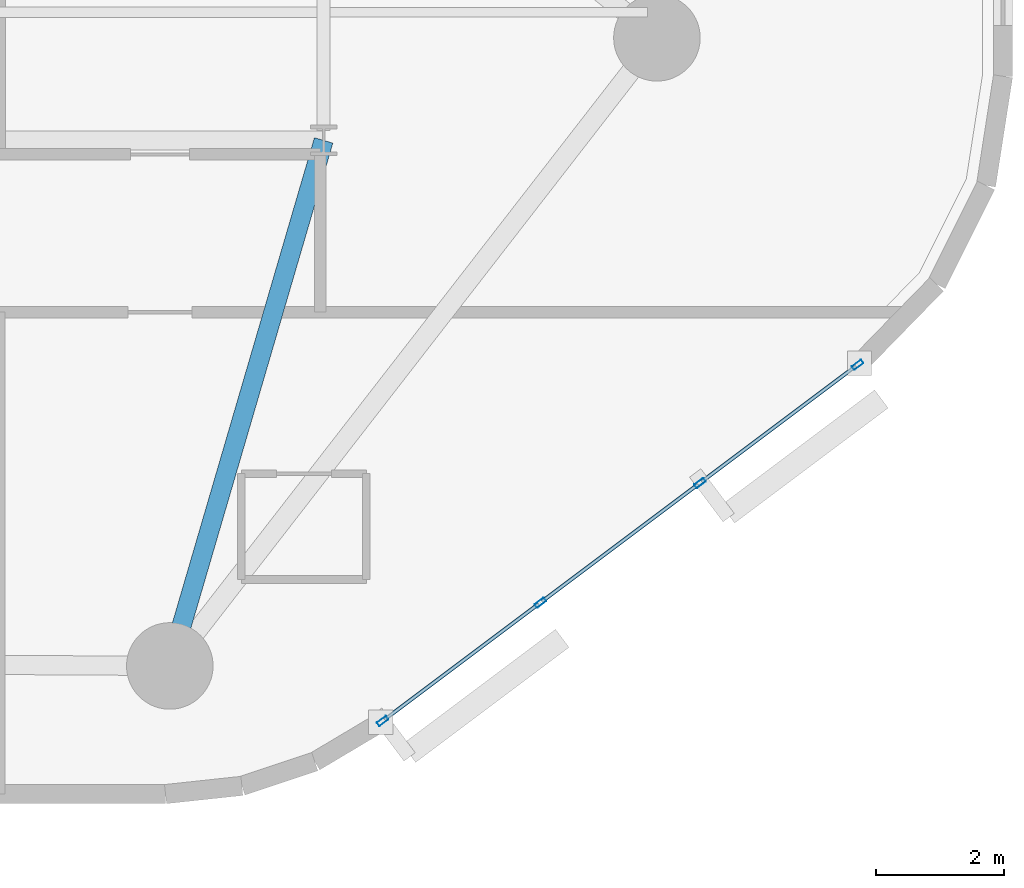
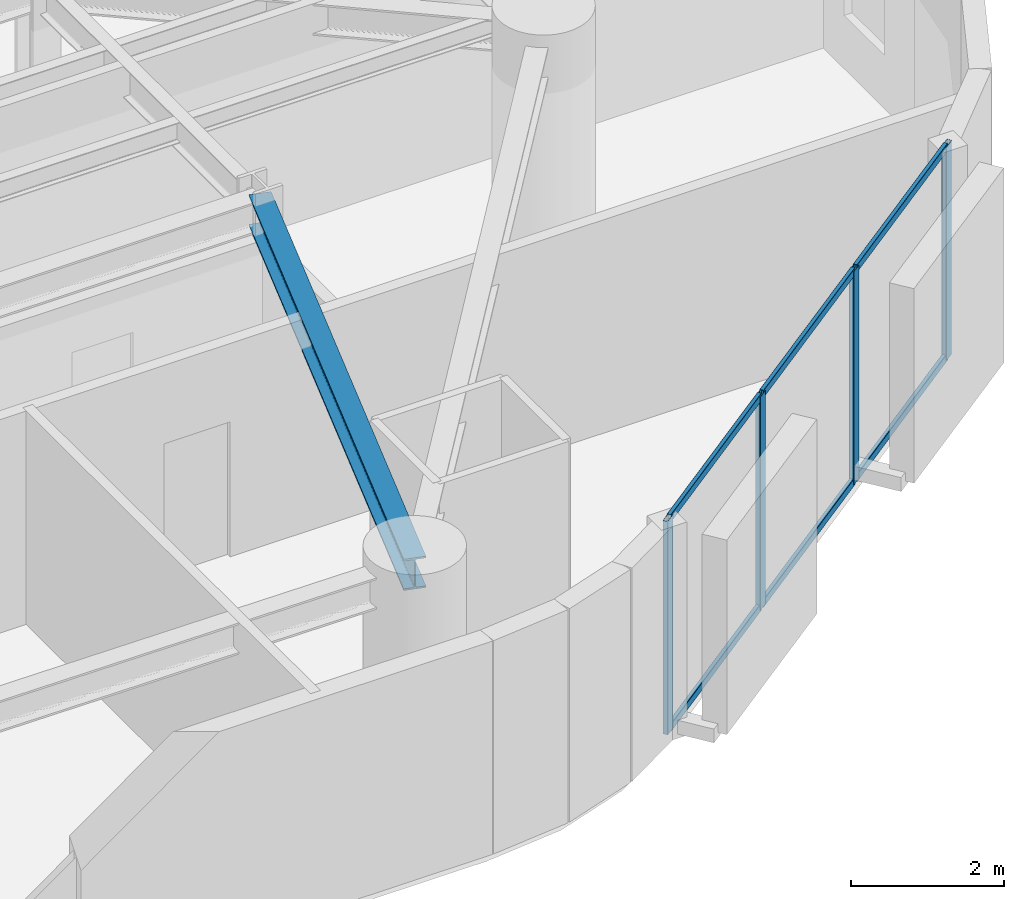
# One storey, part 2 of 13: 10 members, 1 beam, 1 element without a shape of its own.
"""IFC4 building model written with IfcOpenShell, lengths in metres."""

from ifc_helpers import new_model, si_unit, direction, frame, origin, origin_2d, place, context, subcontext, project, spatial, hollow_rectangle, i_section, extrude, material, layer, layer_set, material_profile, profile_set, type_object, element, aggregate, save


model = new_model("IFC4")

# Units and contexts
model_context = context("Model", 3, precision=1e-05, world=origin(), true_north=direction((0.0, 1.0)))
body_context = subcontext(model_context, "Body", "Model", "MODEL_VIEW")
ifc_project = project(units=[si_unit("LENGTHUNIT", "METRE"), si_unit("AREAUNIT", "SQUARE_METRE"), si_unit("VOLUMEUNIT", "CUBIC_METRE"), si_unit("PLANEANGLEUNIT", "RADIAN"), si_unit("MASSUNIT", "GRAM", prefix="KILO")], contexts=[model_context])

# Site, building, storey
site_placement = place(None, origin())
site = spatial("IfcSite", under=ifc_project, at=site_placement, CompositionType="ELEMENT")
building_placement = place(site_placement, origin())
building = spatial("IfcBuilding", under=site, at=building_placement, Name="An Khanh Terracotta Commons", CompositionType="ELEMENT")
storey_placement = place(building_placement, frame((0.0, 0.0, 125.89990234375)))
storey = spatial("IfcBuildingStorey", under=building, at=storey_placement, Name="L33", CompositionType="ELEMENT", Elevation=125.89990234375)

# Beam
ifc_material_1 = material(Name="Steel S355J2", Category="steel")
ifc_material_profile_1 = material_profile(ifc_material_1, i_section(OverallWidth=0.300048828125, OverallDepth=0.5, WebThickness=0.014404296875, FlangeThickness=0.028076171875, FilletRadius=0.027099609375, at=origin_2d()), Name="HEB500")
ifc_profile_set_1 = profile_set([ifc_material_profile_1], Name="Steel S355J2")
beam_type = type_object("IfcBeamType", Name="BM-HEB500", PredefinedType="BEAM", material=ifc_profile_set_1)
beam_placement = place(storey_placement, frame((44.39990234375, 6.199951171875, 3.150146484375), z_axis=(0.280916085823, 0.959732333896, 0.0), x_axis=(-0.959732333896, 0.280916085823, 0.0)))
element("IfcBeam", 1, at=beam_placement, inside=storey, type_object=beam_type, Name="L33 Mega-Column Tie Girder 2", PredefinedType="BEAM", context=body_context, shape_type="SweptSolid", body=[
    extrude(i_section(OverallWidth=0.300048828125, OverallDepth=0.5, WebThickness=0.014404296875, FlangeThickness=0.028076171875, FilletRadius=0.027099609375, at=origin_2d()), origin(), (0.0, 0.0, 1.0), 8.5439453125),
])

# Curtain wall, members
ifc_material_2 = material(Name="Anodised Aluminium 6063-T6", Category="aluminium")
ifc_layer = layer(ifc_material_2, 0.199951171875, Name="Anodised Aluminium 6063-T6")
ifc_layer_set = layer_set([ifc_layer], Name="Anodised Aluminium 6063-T6")
curtain_wall_type = type_object("IfcCurtainWallType", Name="CW-SYS-02", PredefinedType="USERDEFINED", material=ifc_layer_set)
curtain_wall_placement = place(storey_placement, origin())
curtain_wall = element("IfcCurtainWall", 2, at=curtain_wall_placement, inside=storey, type_object=curtain_wall_type, Name="L33 CW-02 Unitised Curtain Wall CW-L33-08", ObjectType="UNITISED CURTAIN WALL", PredefinedType="USERDEFINED")
ifc_material_profile_2 = material_profile(ifc_material_2, hollow_rectangle(XDim=0.070068359375, YDim=0.179931640625, WallThickness=0.00390625, InnerFilletRadius=0.00390625, OuterFilletRadius=0.008056640625, at=origin_2d()), Name="RHS180x70x4")
ifc_profile_set_2 = profile_set([ifc_material_profile_2], Name="Anodised Aluminium 6063-T6")
member_type_1 = type_object("IfcMemberType", Name="CWM-RHS180x70x4", PredefinedType="MULLION", material=ifc_profile_set_2)
member_1_placement = place(storey_placement, frame((47.720947265625, 5.341064453125, 0.0), z_axis=(0.0, 0.0, 1.0), x_axis=(-0.599982857492, 0.800012856594, 0.0)))
member_1 = element("IfcMember", 3, at=member_1_placement, type_object=member_type_1, Name="CW-02 mullion 1", PredefinedType="MULLION", context=body_context, shape_type="SweptSolid", body=[
    extrude(hollow_rectangle(XDim=0.070068359375, YDim=0.179931640625, WallThickness=0.00390625, InnerFilletRadius=0.00390625, OuterFilletRadius=0.008056640625, at=origin_2d()), origin(), (0.0, 0.0, 1.0), 3.400146484375),
])
member_2_placement = place(storey_placement, frame((50.181884765625, 7.186767578125, 0.0), z_axis=(0.0, 0.0, 1.0), x_axis=(-0.599982857492, 0.800012856594, 0.0)))
member_2 = element("IfcMember", 4, at=member_2_placement, type_object=member_type_1, Name="CW-02 mullion 2", PredefinedType="MULLION", context=body_context, shape_type="SweptSolid", body=[
    extrude(hollow_rectangle(XDim=0.070068359375, YDim=0.179931640625, WallThickness=0.00390625, InnerFilletRadius=0.00390625, OuterFilletRadius=0.008056640625, at=origin_2d()), origin(), (0.0, 0.0, 1.0), 3.400146484375),
])
member_3_placement = place(storey_placement, frame((52.6708984375, 9.05322265625, 0.0), z_axis=(0.0, 0.0, 1.0), x_axis=(-0.599982857492, 0.800012856594, 0.0)))
member_3 = element("IfcMember", 5, at=member_3_placement, type_object=member_type_1, Name="CW-02 mullion 3", PredefinedType="MULLION", context=body_context, shape_type="SweptSolid", body=[
    extrude(hollow_rectangle(XDim=0.070068359375, YDim=0.179931640625, WallThickness=0.00390625, InnerFilletRadius=0.00390625, OuterFilletRadius=0.008056640625, at=origin_2d()), origin(), (0.0, 0.0, 1.0), 3.400146484375),
])
member_4_placement = place(storey_placement, frame((55.132080078125, 10.89892578125, 0.0), z_axis=(0.0, 0.0, 1.0), x_axis=(-0.599982857492, 0.800012856594, 0.0)))
member_4 = element("IfcMember", 6, at=member_4_placement, type_object=member_type_1, Name="CW-02 mullion 4", PredefinedType="MULLION", context=body_context, shape_type="SweptSolid", body=[
    extrude(hollow_rectangle(XDim=0.070068359375, YDim=0.179931640625, WallThickness=0.00390625, InnerFilletRadius=0.00390625, OuterFilletRadius=0.008056640625, at=origin_2d()), origin(), (0.0, 0.0, 1.0), 3.400146484375),
])
ifc_material_profile_3 = material_profile(ifc_material_2, hollow_rectangle(XDim=0.06005859375, YDim=0.1201171875, WallThickness=0.003662109375, InnerFilletRadius=0.003662109375, OuterFilletRadius=0.007080078125, at=origin_2d()), Name="RHS120x60x3.6")
ifc_profile_set_3 = profile_set([ifc_material_profile_3], Name="Anodised Aluminium 6063-T6")
member_type_2 = type_object("IfcMemberType", Name="CWT-RHS120x60x3.6", PredefinedType="USERDEFINED", material=ifc_profile_set_3)
member_5_placement = place(storey_placement, frame((47.7490234375, 5.362060546875, 0.030029296875), z_axis=(0.800009745217, 0.599987006158, 0.0), x_axis=(-0.599987006158, 0.800009745217, 0.0)))
member_5 = element("IfcMember", 7, at=member_5_placement, type_object=member_type_2, Name="CW-02 transom 1.1", ObjectType="TRANSOM", PredefinedType="USERDEFINED", context=body_context, shape_type="SweptSolid", body=[
    extrude(hollow_rectangle(XDim=0.06005859375, YDim=0.1201171875, WallThickness=0.003662109375, InnerFilletRadius=0.003662109375, OuterFilletRadius=0.007080078125, at=origin_2d()), origin(), (0.0, 0.0, 1.0), 3.00634765625),
])
member_6_placement = place(storey_placement, frame((47.7490234375, 5.362060546875, 3.3701171875), z_axis=(0.800009745217, 0.599987006158, 0.0), x_axis=(-0.599987006158, 0.800009745217, 0.0)))
member_6 = element("IfcMember", 8, at=member_6_placement, type_object=member_type_2, Name="CW-02 transom 1.2", ObjectType="TRANSOM", PredefinedType="USERDEFINED", context=body_context, shape_type="SweptSolid", body=[
    extrude(hollow_rectangle(XDim=0.06005859375, YDim=0.1201171875, WallThickness=0.003662109375, InnerFilletRadius=0.003662109375, OuterFilletRadius=0.007080078125, at=origin_2d()), origin(), (0.0, 0.0, 1.0), 3.00634765625),
])
member_7_placement = place(storey_placement, frame((50.2099609375, 7.207763671875, 0.030029296875), z_axis=(0.800057796972, 0.599922929638, 0.0), x_axis=(-0.599922929638, 0.800057796972, 0.0)))
member_7 = element("IfcMember", 9, at=member_7_placement, type_object=member_type_2, Name="CW-02 transom 2.1", ObjectType="TRANSOM", PredefinedType="USERDEFINED", context=body_context, shape_type="SweptSolid", body=[
    extrude(hollow_rectangle(XDim=0.06005859375, YDim=0.1201171875, WallThickness=0.003662109375, InnerFilletRadius=0.003662109375, OuterFilletRadius=0.007080078125, at=origin_2d()), origin(), (0.0, 0.0, 1.0), 3.041259765625),
])
member_8_placement = place(storey_placement, frame((50.2099609375, 7.207763671875, 3.3701171875), z_axis=(0.800057796972, 0.599922929638, 0.0), x_axis=(-0.599922929638, 0.800057796972, 0.0)))
member_8 = element("IfcMember", 10, at=member_8_placement, type_object=member_type_2, Name="CW-02 transom 2.2", ObjectType="TRANSOM", PredefinedType="USERDEFINED", context=body_context, shape_type="SweptSolid", body=[
    extrude(hollow_rectangle(XDim=0.06005859375, YDim=0.1201171875, WallThickness=0.003662109375, InnerFilletRadius=0.003662109375, OuterFilletRadius=0.007080078125, at=origin_2d()), origin(), (0.0, 0.0, 1.0), 3.041259765625),
])
member_9_placement = place(storey_placement, frame((52.698974609375, 9.07421875, 0.030029296875), z_axis=(0.800009745217, 0.599987006158, 0.0), x_axis=(-0.599987006158, 0.800009745217, 0.0)))
member_9 = element("IfcMember", 11, at=member_9_placement, type_object=member_type_2, Name="CW-02 transom 3.1", ObjectType="TRANSOM", PredefinedType="USERDEFINED", context=body_context, shape_type="SweptSolid", body=[
    extrude(hollow_rectangle(XDim=0.06005859375, YDim=0.1201171875, WallThickness=0.003662109375, InnerFilletRadius=0.003662109375, OuterFilletRadius=0.007080078125, at=origin_2d()), origin(), (0.0, 0.0, 1.0), 3.00634765625),
])
member_10_placement = place(storey_placement, frame((52.698974609375, 9.07421875, 3.3701171875), z_axis=(0.800009745217, 0.599987006158, 0.0), x_axis=(-0.599987006158, 0.800009745217, 0.0)))
member_10 = element("IfcMember", 12, at=member_10_placement, type_object=member_type_2, Name="CW-02 transom 3.2", ObjectType="TRANSOM", PredefinedType="USERDEFINED", context=body_context, shape_type="SweptSolid", body=[
    extrude(hollow_rectangle(XDim=0.06005859375, YDim=0.1201171875, WallThickness=0.003662109375, InnerFilletRadius=0.003662109375, OuterFilletRadius=0.007080078125, at=origin_2d()), origin(), (0.0, 0.0, 1.0), 3.00634765625),
])
aggregate(curtain_wall, [member_1, member_2, member_3, member_4, member_5, member_6, member_7, member_8, member_9, member_10])

save(model, "model.ifc")
